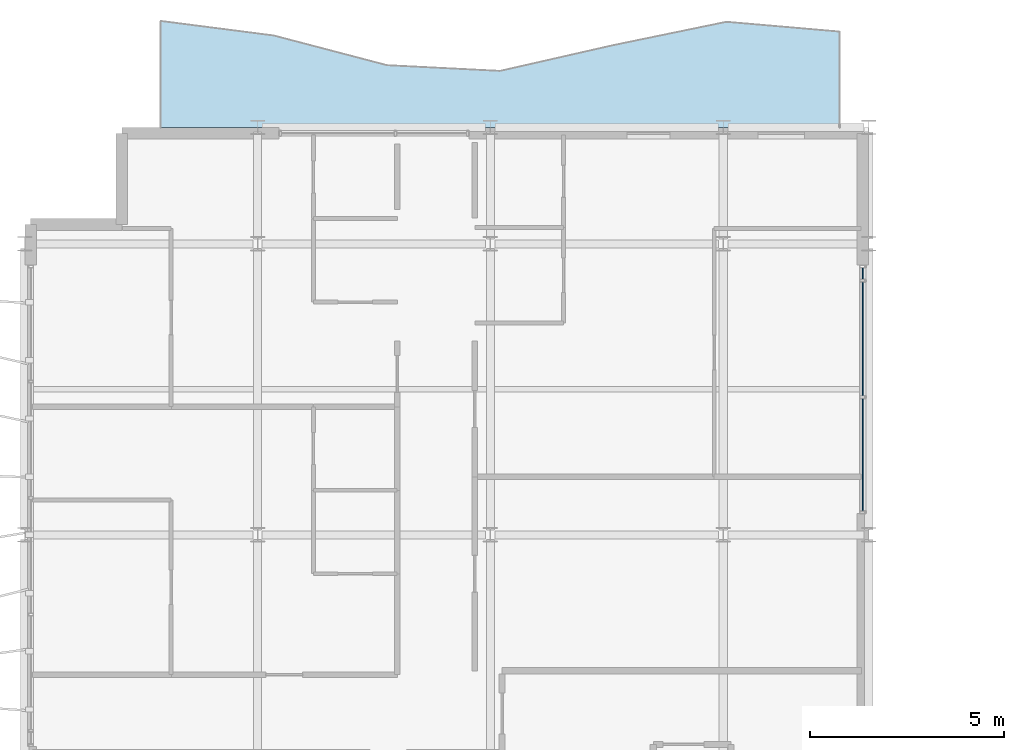
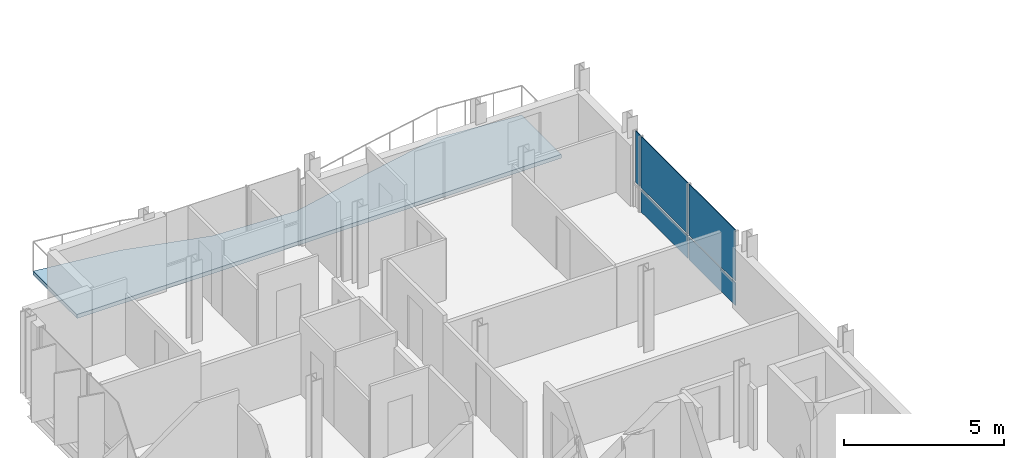
# One storey, part 17 of 30: 5 plates, 1 slab, 1 element without a shape of its own.
"""IFC4 building model written with IfcOpenShell, lengths in metres."""

from ifc_helpers import new_model, si_unit, direction, frame, origin, origin_2d, place, context, subcontext, project, spatial, polyline, rectangle, outline, extrude, material, layer, layer_set, type_object, element, aggregate, save


model = new_model("IFC4")

# Units and contexts
model_context = context("Model", 3, precision=1e-05, world=origin(), true_north=direction((0.0, 1.0)))
body_context = subcontext(model_context, "Body", "Model", "MODEL_VIEW")
ifc_project = project(units=[si_unit("LENGTHUNIT", "METRE"), si_unit("AREAUNIT", "SQUARE_METRE"), si_unit("VOLUMEUNIT", "CUBIC_METRE"), si_unit("PLANEANGLEUNIT", "RADIAN"), si_unit("MASSUNIT", "GRAM", prefix="KILO")], contexts=[model_context])

# Site, building, storey
site_placement = place(None, origin())
site = spatial("IfcSite", under=ifc_project, at=site_placement, CompositionType="ELEMENT")
building_placement = place(site_placement, origin())
building = spatial("IfcBuilding", under=site, at=building_placement, Name="Brevholm Reach", CompositionType="ELEMENT")
storey_placement = place(building_placement, frame((0.0, 0.0, 204.89990234375)))
storey = spatial("IfcBuildingStorey", under=building, at=storey_placement, Name="L62", CompositionType="ELEMENT", Elevation=204.89990234375)

# Curtain wall, plates
ifc_material_1 = material(Name="Dark Anodised Aluminium 6063-T6 and Solar-Control Glass", Category="aluminium")
ifc_layer_1 = layer(ifc_material_1, 0.1650390625)
ifc_layer_set_1 = layer_set([ifc_layer_1], Name="Dark Anodised Aluminium 6063-T6 and Solar-Control Glass")
curtain_wall_type = type_object("IfcCurtainWallType", Name="CW-04", PredefinedType="NOTDEFINED", material=ifc_layer_set_1)
curtain_wall_placement = place(storey_placement, origin())
curtain_wall = element("IfcCurtainWall", 1, at=curtain_wall_placement, inside=storey, type_object=curtain_wall_type, Name="L62 Curtain Wall CW-04", PredefinedType="NOTDEFINED")
ifc_material_2 = material(Name="Dark Solar-Control Double-Glazed IGU Glass", Category="glass")
ifc_layer_2 = layer(ifc_material_2, 0.028076171875)
ifc_layer_set_2 = layer_set([ifc_layer_2], Name="Dark Solar-Control Double-Glazed IGU Glass")
plate_type = type_object("IfcPlateType", Name="CWP-GLZ-28", PredefinedType="CURTAIN_PANEL", material=ifc_layer_set_2)
plate_1_placement = place(storey_placement, frame((21.60009765625, 18.0673828125, 0.0), z_axis=(0.0, 0.0, 1.0), x_axis=(0.0, 1.0, 0.0)))
plate_1 = element("IfcPlate", 2, at=plate_1_placement, type_object=plate_type, Name="CP-01 Glazing Panel 1.1", PredefinedType="CURTAIN_PANEL", context=body_context, shape_type="SweptSolid", body=[
    extrude(rectangle(XDim=2.89501953125, YDim=0.028076171875, at=origin_2d()), origin(), (0.0, 0.0, 1.0), 0.864990234375),
])
plate_2_placement = place(storey_placement, frame((21.60009765625, 18.0673828125, 0.93505859375), z_axis=(0.0, 0.0, 1.0), x_axis=(0.0, 1.0, 0.0)))
plate_2 = element("IfcPlate", 3, at=plate_2_placement, type_object=plate_type, Name="CP-01 Glazing Panel 1.2", PredefinedType="CURTAIN_PANEL", context=body_context, shape_type="SweptSolid", body=[
    extrude(rectangle(XDim=2.89501953125, YDim=0.028076171875, at=origin_2d()), origin(), (0.0, 0.0, 1.0), 1.955078125),
])
plate_3_placement = place(storey_placement, frame((21.60009765625, 21.050048828125, 0.0), z_axis=(0.0, 0.0, 1.0), x_axis=(0.0, 1.0, 0.0)))
plate_3 = element("IfcPlate", 4, at=plate_3_placement, type_object=plate_type, Name="CP-01 Glazing Panel 2.1", PredefinedType="CURTAIN_PANEL", context=body_context, shape_type="SweptSolid", body=[
    extrude(rectangle(XDim=2.929931640625, YDim=0.028076171875, at=origin_2d()), origin(), (0.0, 0.0, 1.0), 0.864990234375),
])
plate_4_placement = place(storey_placement, frame((21.60009765625, 21.050048828125, 0.93505859375), z_axis=(0.0, 0.0, 1.0), x_axis=(0.0, 1.0, 0.0)))
plate_4 = element("IfcPlate", 5, at=plate_4_placement, type_object=plate_type, Name="CP-01 Glazing Panel 2.2", PredefinedType="CURTAIN_PANEL", context=body_context, shape_type="SweptSolid", body=[
    extrude(rectangle(XDim=2.929931640625, YDim=0.028076171875, at=origin_2d()), origin(), (0.0, 0.0, 1.0), 1.955078125),
])
plate_5_placement = place(storey_placement, frame((21.60009765625, 22.732421875, 0.93505859375), z_axis=(0.0, 0.0, 1.0), x_axis=(0.0, 1.0, 0.0)))
plate_5 = element("IfcPlate", 6, at=plate_5_placement, type_object=plate_type, Name="CP-01 Glazing Panel 3.2", PredefinedType="CURTAIN_PANEL", context=body_context, shape_type="SweptSolid", body=[
    extrude(rectangle(XDim=0.294921875, YDim=0.028076171875, at=origin_2d()), origin(), (0.0, 0.0, 1.0), 1.955078125),
])
aggregate(curtain_wall, [plate_1, plate_2, plate_3, plate_4, plate_5])

# Slab
ifc_material_3 = material(Name="Precast Concrete C45/55", Category="concrete")
ifc_layer_3 = layer(ifc_material_3, 0.14990234375)
ifc_layer_set_3 = layer_set([ifc_layer_3], Name="Precast Concrete C45/55")
slab_type = type_object("IfcSlabType", Name="SLB-BAL-150", PredefinedType="FLOOR", material=ifc_layer_set_3)
slab_placement = place(storey_placement, frame((0.0, 0.0, -0.14990234375)))
element("IfcSlab", 7, at=slab_placement, inside=storey, type_object=slab_type, Name="L62 Rippling External Balcony NW", PredefinedType="FLOOR", context=body_context, shape_type="SweptSolid", body=[
    extrude(outline(polyline([(3.5, 26.5), (21.0, 26.5), (21.0, 28.9716796875), (18.083251953125, 29.223876953125), (15.166748046875, 28.6220703125), (12.25, 27.95849609375), (9.333251953125, 28.106201171875), (6.416748046875, 28.870849609375), (3.5, 29.246337890625), (3.5, 26.5)])), origin(), (0.0, 0.0, 1.0), 0.14990234375),
])

save(model, "model.ifc")
